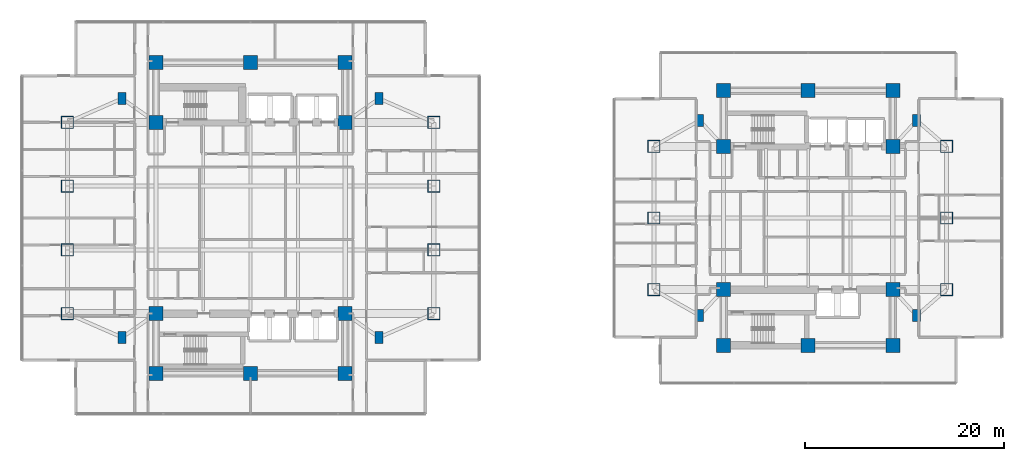
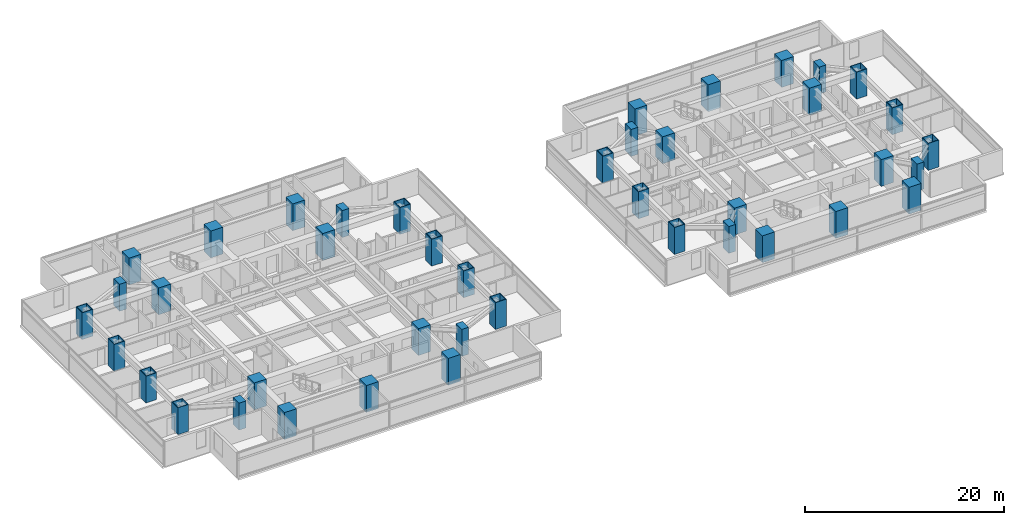
# One storey, part 1 of 26: 42 columns.
"""IFC4 building model written with IfcOpenShell, lengths in metres."""

from ifc_helpers import new_model, si_unit, direction, frame, origin, origin_2d, place, context, subcontext, project, spatial, rectangle, hollow_rectangle, extrude, material, material_profile, profile_set, type_object, element, save


model = new_model("IFC4")

# Units and contexts
model_context = context("Model", 3, precision=1e-05, world=origin(), true_north=direction((0.0, 1.0)))
body_context = subcontext(model_context, "Body", "Model", "MODEL_VIEW")
ifc_project = project(units=[si_unit("LENGTHUNIT", "METRE"), si_unit("AREAUNIT", "SQUARE_METRE"), si_unit("VOLUMEUNIT", "CUBIC_METRE"), si_unit("PLANEANGLEUNIT", "RADIAN"), si_unit("MASSUNIT", "GRAM", prefix="KILO")], contexts=[model_context])

# Site, building, storey
site_placement = place(None, origin())
site = spatial("IfcSite", under=ifc_project, at=site_placement, CompositionType="ELEMENT")
building_placement = place(site_placement, origin())
building = spatial("IfcBuilding", under=site, at=building_placement, Name="Mirazonda Arch Towers", CompositionType="ELEMENT")
storey_placement = place(building_placement, frame((0.0, 0.0, 45.5)))
storey = spatial("IfcBuildingStorey", under=building, at=storey_placement, Name="L12", CompositionType="ELEMENT", Elevation=45.5)

# Columns
ifc_material_1 = material(Name="Concrete C60/75", Category="concrete")
ifc_material_profile_1 = material_profile(ifc_material_1, rectangle(XDim=1.39990234375, YDim=1.39990234375, at=origin_2d()), Name="RC1400x1400")
ifc_profile_set_1 = profile_set([ifc_material_profile_1], Name="Concrete C60/75")
column_type_1 = type_object("IfcColumnType", Name="COL-INT-RC1400x1400", PredefinedType="COLUMN", material=ifc_profile_set_1)
for number, where, z_axis, x_axis, name in (
    (1, (11.0, 12.39990234375, 0.0), (0.0, 0.0, 1.0), (1.0, 0.0, 0.0), "L12 T1 Core Column 01"),
    (2, (20.5, 12.39990234375, 0.0), (0.0, 0.0, 1.0), (1.0, 0.0, 0.0), "L12 T1 Core Column 02"),
    (3, (30.0, 12.39990234375, 0.0), (0.0, 0.0, 1.0), (1.0, 0.0, 0.0), "L12 T1 Core Column 03"),
    (4, (11.0, 18.39990234375, 0.0), (0.0, 0.0, 1.0), (1.0, 0.0, 0.0), "L12 T1 Core Column 04"),
    (5, (30.0, 18.39990234375, 0.0), (0.0, 0.0, 1.0), (1.0, 0.0, 0.0), "L12 T1 Core Column 05"),
    (6, (11.0, 37.60009765625, 0.0), (0.0, 0.0, 1.0), (1.0, 0.0, 0.0), "L12 T1 Core Column 06"),
    (7, (30.0, 37.60009765625, 0.0), (0.0, 0.0, 1.0), (1.0, 0.0, 0.0), "L12 T1 Core Column 07"),
    (8, (11.0, 43.60009765625, 0.0), (0.0, 0.0, 1.0), (1.0, 0.0, 0.0), "L12 T1 Core Column 08"),
    (9, (20.5, 43.60009765625, 0.0), (0.0, 0.0, 1.0), (1.0, 0.0, 0.0), "L12 T1 Core Column 09"),
    (10, (30.0, 43.60009765625, 0.0), (0.0, 0.0, 1.0), (1.0, 0.0, 0.0), "L12 T1 Core Column 10"),
    (11, (68.0, 15.199951171875, 0.0), (0.0, 0.0, 1.0), (1.0, 0.0, 0.0), "L12 T2 Core Column 01"),
    (12, (76.5, 15.199951171875, 0.0), (0.0, 0.0, 1.0), (1.0, 0.0, 0.0), "L12 T2 Core Column 02"),
    (13, (85.0, 15.199951171875, 0.0), (0.0, 0.0, 1.0), (1.0, 0.0, 0.0), "L12 T2 Core Column 03"),
    (14, (68.0, 20.800048828125, 0.0), (0.0, 0.0, 1.0), (1.0, 0.0, 0.0), "L12 T2 Core Column 04"),
    (15, (85.0, 20.800048828125, 0.0), (0.0, 0.0, 1.0), (1.0, 0.0, 0.0), "L12 T2 Core Column 05"),
    (16, (68.0, 35.199951171875, 0.0), (0.0, 0.0, 1.0), (1.0, 0.0, 0.0), "L12 T2 Core Column 06"),
    (17, (85.0, 35.199951171875, 0.0), (0.0, 0.0, 1.0), (1.0, 0.0, 0.0), "L12 T2 Core Column 07"),
    (18, (68.0, 40.800048828125, 0.0), (0.0, 0.0, 1.0), (1.0, 0.0, 0.0), "L12 T2 Core Column 08"),
    (19, (76.5, 40.800048828125, 0.0), (0.0, 0.0, 1.0), (1.0, 0.0, 0.0), "L12 T2 Core Column 09"),
    (20, (85.0, 40.800048828125, 0.0), (0.0, 0.0, 1.0), (1.0, 0.0, 0.0), "L12 T2 Core Column 10"),
):
    element("IfcColumn", number, at=place(storey_placement, frame(where, z_axis=z_axis, x_axis=x_axis)), inside=storey, type_object=column_type_1, Name=name, PredefinedType="COLUMN", context=body_context, shape_type="SweptSolid", body=[
        extrude(rectangle(XDim=1.39990234375, YDim=1.39990234375, at=origin_2d()), origin(), (0.0, 0.0, 1.0), 3.300048828125),
    ])
ifc_material_2 = material(Name="Steel ASTM A572 Grade 50", Category="steel")
ifc_material_profile_2 = material_profile(ifc_material_2, hollow_rectangle(XDim=1.25, YDim=1.25, WallThickness=0.070068359375, at=origin_2d()), Name="BOX1250x1250x70")
ifc_profile_set_2 = profile_set([ifc_material_profile_2], Name="Steel ASTM A572 Grade 50")
column_type_2 = type_object("IfcColumnType", Name="MCOL-EXT-BOX1250x1250x70", PredefinedType="COLUMN", material=ifc_profile_set_2)
for number, where, z_axis, x_axis, name in (
    (21, (2.10009765625, 18.39990234375, 0.0), (0.0, 0.0, 1.0), (1.0, 0.0, 0.0), "L12 T1 Composite Mega-Column 01"),
    (22, (2.10009765625, 24.800048828125, 0.0), (0.0, 0.0, 1.0), (1.0, 0.0, 0.0), "L12 T1 Composite Mega-Column 02"),
    (23, (2.10009765625, 31.199951171875, 0.0), (0.0, 0.0, 1.0), (1.0, 0.0, 0.0), "L12 T1 Composite Mega-Column 03"),
    (24, (2.10009765625, 37.60009765625, 0.0), (0.0, 0.0, 1.0), (1.0, 0.0, 0.0), "L12 T1 Composite Mega-Column 04"),
    (25, (38.89990234375, 18.39990234375, 0.0), (0.0, 0.0, 1.0), (1.0, 0.0, 0.0), "L12 T1 Composite Mega-Column 05"),
    (26, (38.89990234375, 24.800048828125, 0.0), (0.0, 0.0, 1.0), (1.0, 0.0, 0.0), "L12 T1 Composite Mega-Column 06"),
    (27, (38.89990234375, 31.199951171875, 0.0), (0.0, 0.0, 1.0), (1.0, 0.0, 0.0), "L12 T1 Composite Mega-Column 07"),
    (28, (38.89990234375, 37.60009765625, 0.0), (0.0, 0.0, 1.0), (1.0, 0.0, 0.0), "L12 T1 Composite Mega-Column 08"),
    (29, (61.0, 20.800048828125, 0.0), (0.0, 0.0, 1.0), (1.0, 0.0, 0.0), "L12 T2 Composite Mega-Column 01"),
    (30, (61.0, 28.0, 0.0), (0.0, 0.0, 1.0), (1.0, 0.0, 0.0), "L12 T2 Composite Mega-Column 02"),
    (31, (61.0, 35.199951171875, 0.0), (0.0, 0.0, 1.0), (1.0, 0.0, 0.0), "L12 T2 Composite Mega-Column 03"),
    (32, (90.39990234375, 20.800048828125, 0.0), (0.0, 0.0, 1.0), (1.0, 0.0, 0.0), "L12 T2 Composite Mega-Column 04"),
    (33, (90.39990234375, 28.0, 0.0), (0.0, 0.0, 1.0), (1.0, 0.0, 0.0), "L12 T2 Composite Mega-Column 05"),
    (34, (90.39990234375, 35.199951171875, 0.0), (0.0, 0.0, 1.0), (1.0, 0.0, 0.0), "L12 T2 Composite Mega-Column 06"),
):
    element("IfcColumn", number, at=place(storey_placement, frame(where, z_axis=z_axis, x_axis=x_axis)), inside=storey, type_object=column_type_2, Name=name, PredefinedType="COLUMN", context=body_context, shape_type="SweptSolid", body=[
        extrude(hollow_rectangle(XDim=1.25, YDim=1.25, WallThickness=0.070068359375, at=origin_2d()), origin(), (0.0, 0.0, 1.0), 3.300048828125),
    ])
ifc_material_profile_3 = material_profile(ifc_material_1, rectangle(XDim=0.800048828125, YDim=1.199951171875, at=origin_2d()), Name="RC1200x800")
ifc_profile_set_3 = profile_set([ifc_material_profile_3], Name="Concrete C60/75")
column_type_3 = type_object("IfcColumnType", Name="PIL-EXT-RC1200x800", PredefinedType="PILASTER", material=ifc_profile_set_3)
for number, where, z_axis, x_axis, name in (
    (35, (7.60009765625, 16.0, 0.0), (0.0, 0.0, 1.0), (1.0, 0.0, 0.0), "L12 T1 Corner Pilaster 01"),
    (36, (33.39990234375, 16.0, 0.0), (0.0, 0.0, 1.0), (1.0, 0.0, 0.0), "L12 T1 Corner Pilaster 02"),
    (37, (7.60009765625, 40.0, 0.0), (0.0, 0.0, 1.0), (1.0, 0.0, 0.0), "L12 T1 Corner Pilaster 03"),
    (38, (33.39990234375, 40.0, 0.0), (0.0, 0.0, 1.0), (1.0, 0.0, 0.0), "L12 T1 Corner Pilaster 04"),
    (39, (65.60009765625, 18.199951171875, 0.0), (0.0, 0.0, 1.0), (1.0, 0.0, 0.0), "L12 T2 Corner Pilaster 01"),
    (40, (87.39990234375, 18.199951171875, 0.0), (0.0, 0.0, 1.0), (1.0, 0.0, 0.0), "L12 T2 Corner Pilaster 02"),
    (41, (65.60009765625, 37.800048828125, 0.0), (0.0, 0.0, 1.0), (1.0, 0.0, 0.0), "L12 T2 Corner Pilaster 03"),
    (42, (87.39990234375, 37.800048828125, 0.0), (0.0, 0.0, 1.0), (1.0, 0.0, 0.0), "L12 T2 Corner Pilaster 04"),
):
    element("IfcColumn", number, at=place(storey_placement, frame(where, z_axis=z_axis, x_axis=x_axis)), inside=storey, type_object=column_type_3, Name=name, PredefinedType="PILASTER", context=body_context, shape_type="SweptSolid", body=[
        extrude(rectangle(XDim=0.800048828125, YDim=1.199951171875, at=origin_2d()), origin(), (0.0, 0.0, 1.0), 3.300048828125),
    ])

save(model, "model.ifc")
